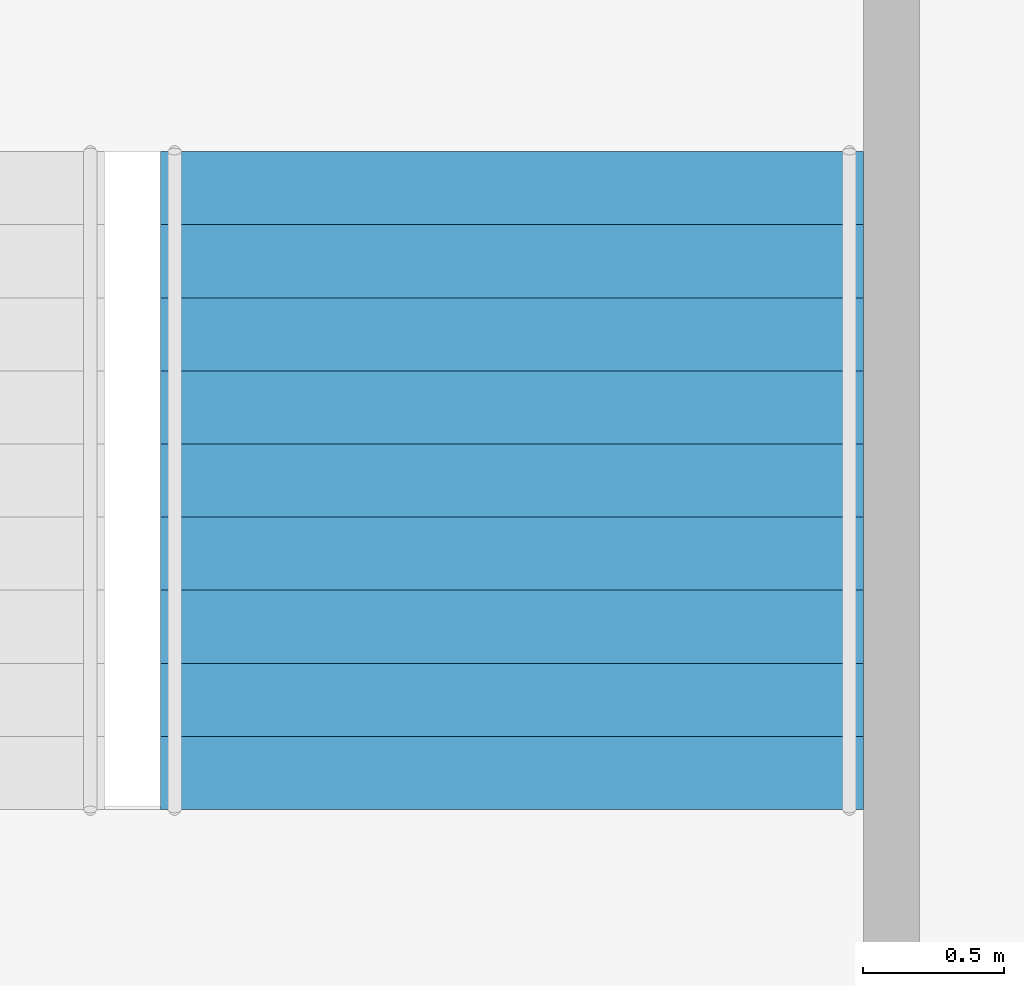
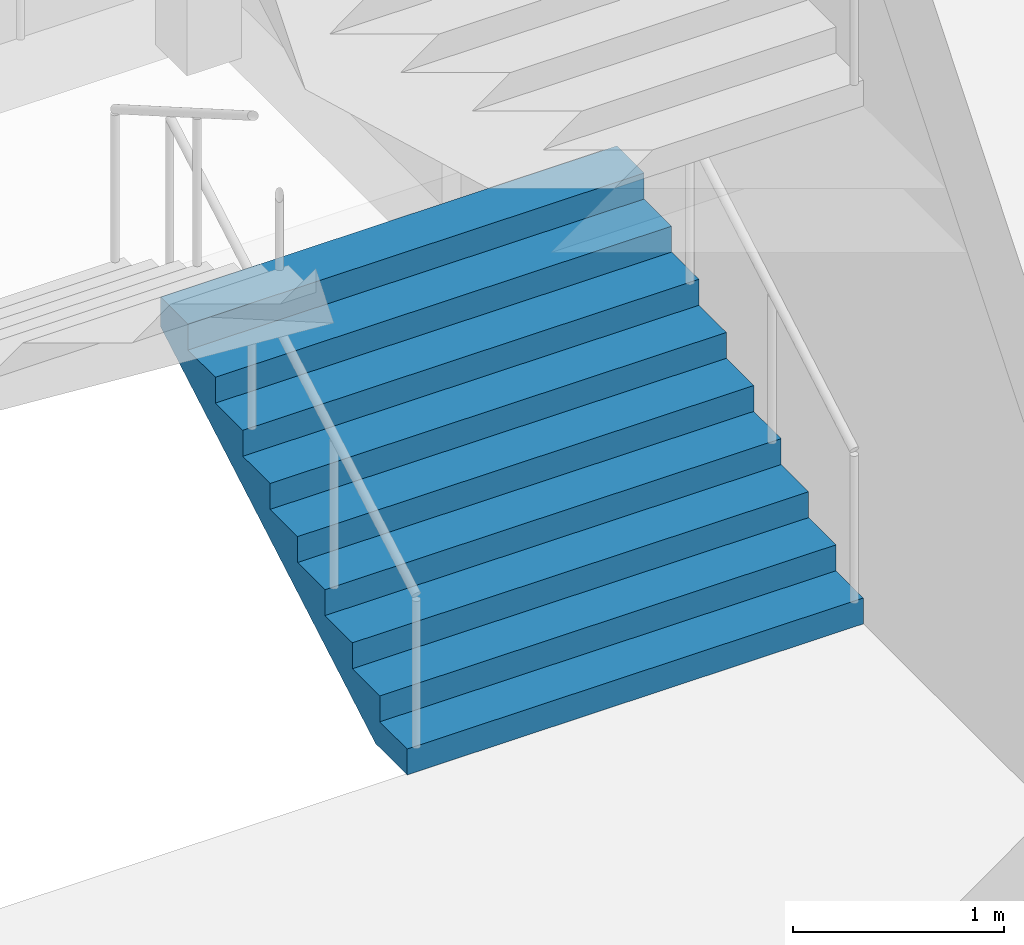
# One storey, part 48 of 100: 1 stair flight, 1 element without a shape of its own.
"""IFC4 building model written with IfcOpenShell, lengths in metres."""

import ifcopenshell
import ifcopenshell.guid

model = None  # the IFC model being written
_history = None  # IfcOwnerHistory: only IFC2X3 demands one
_inside = {}  # id of a spatial element -> (the spatial element, [elements in it])
_under = {}  # id of a project, library or spatial element -> (it, [spatial elements below it])
_declared = {}  # id of a project -> (the project, [libraries it declares])
_typed = {}  # id of a type object -> (the type object, [elements of that type])
_made_of = {}  # id of a material, layer set ... -> (it, [elements and type objects made of it])


def new_model(schema):
    """Start an empty IFC model of exactly this schema.

    Asked for "IFC4X3", IfcOpenShell would pick the latest addendum, in which some entities
    have other attributes; the version numbers below select the first issue.
    IFC2X3 requires an IfcOwnerHistory on every rooted entity: one is made here for all.
    """
    global model, _history
    if schema == "IFC4X3":
        model = ifcopenshell.file(schema_version=(4, 3, 0, 0))
    else:
        model = ifcopenshell.file(schema=schema)
    _inside.clear()
    _under.clear()
    _declared.clear()
    _typed.clear()
    _made_of.clear()
    _history = None
    if model.schema == "IFC2X3":
        org = make("IfcOrganization", Name="unknown")
        user = make(
            "IfcPersonAndOrganization",
            ThePerson=make("IfcPerson", FamilyName="unknown"),
            TheOrganization=org,
        )
        app = make(
            "IfcApplication",
            ApplicationDeveloper=org,
            Version="unknown",
            ApplicationFullName="unknown",
            ApplicationIdentifier="unknown",
        )
        _history = make(
            "IfcOwnerHistory",
            OwningUser=user,
            OwningApplication=app,
            ChangeAction="ADDED",
            CreationDate=0,
        )
    return model


def make(cls, **values):
    """One entity of the class cls with the attributes given. An attribute that is None is left unset."""
    return model.create_entity(
        cls, **{name: value for name, value in values.items() if value is not None}
    )


def rooted(cls, **values):
    """An entity with a GlobalId (a new one), such as an element, a storey or a relation."""
    return make(cls, GlobalId=ifcopenshell.guid.new(), OwnerHistory=_history, **values)


def si_unit(unit_type, name, prefix=None):
    """IfcSIUnit, for example si_unit("LENGTHUNIT", "METRE", prefix="MILLI")."""
    return make("IfcSIUnit", UnitType=unit_type, Prefix=prefix, Name=name)


def assignment(units):
    """IfcUnitAssignment: the units of a project."""
    return None if units is None else make("IfcUnitAssignment", Units=units)


def point(xyz):
    """IfcCartesianPoint."""
    return None if xyz is None else make("IfcCartesianPoint", Coordinates=xyz)


def direction(xyz):
    """IfcDirection."""
    return None if xyz is None else make("IfcDirection", DirectionRatios=xyz)


def frame(location, z_axis=None, x_axis=None):
    """IfcAxis2Placement3D, a coordinate frame: its origin and axes. An axis left out is left unset."""
    return make(
        "IfcAxis2Placement3D",
        Location=point(location),
        Axis=direction(z_axis),
        RefDirection=direction(x_axis),
    )


def origin():
    """The frame at (0, 0, 0) with its axes left unset."""
    return frame((0.0, 0.0, 0.0))


def place(relative_to, where):
    """IfcLocalPlacement: puts the frame where relative to a parent placement (None: the world)."""
    return make(
        "IfcLocalPlacement", PlacementRelTo=relative_to, RelativePlacement=where
    )


def context(
    kind, dimensions, precision=None, world=None, true_north=None, identifier=None
):
    """IfcGeometricRepresentationContext, for example the 3D "Model" context."""
    return make(
        "IfcGeometricRepresentationContext",
        ContextIdentifier=identifier,
        ContextType=kind,
        CoordinateSpaceDimension=dimensions,
        Precision=precision,
        WorldCoordinateSystem=world,
        TrueNorth=true_north,
    )


def subcontext(parent, identifier, kind, view, scale=None):
    """IfcGeometricRepresentationSubContext, for example "Body" below "Model"."""
    return make(
        "IfcGeometricRepresentationSubContext",
        ContextIdentifier=identifier,
        ContextType=kind,
        ParentContext=parent,
        TargetScale=scale,
        TargetView=view,
    )


def project(units=None, contexts=None):
    """IfcProject with its units and contexts."""
    return rooted(
        "IfcProject",
        Name="project",
        RepresentationContexts=contexts,
        UnitsInContext=assignment(units),
    )


def spatial(cls, under=None, at=None, **own):
    """A site, building, storey or space (cls), placed at a placement, below another one or the project."""
    s = rooted(cls, ObjectPlacement=at, **own)
    if under is not None:
        _under.setdefault(under.id(), (under, []))[1].append(s)
    return s


def point_list(points):
    """IfcCartesianPointList2D or 3D."""
    cls = (
        "IfcCartesianPointList2D" if len(points[0]) == 2 else "IfcCartesianPointList3D"
    )
    return make(cls, CoordList=points)


def triangles(points, corners, closed=None, point_numbers=None):
    """IfcTriangulatedFaceSet: each triangle names its three corners, points numbered from 1."""
    return make(
        "IfcTriangulatedFaceSet",
        Coordinates=point_list(points),
        Closed=closed,
        CoordIndex=corners,
        PnIndex=point_numbers,
    )


def shape(context_of_items, identifier, shape_type, items):
    """IfcShapeRepresentation: the items that make up one representation, for example the "Body"."""
    return make(
        "IfcShapeRepresentation",
        ContextOfItems=context_of_items,
        RepresentationIdentifier=identifier,
        RepresentationType=shape_type,
        Items=items,
    )


def material(Name=None, Category=None):
    """IfcMaterial."""
    return make("IfcMaterial", Name=Name, Category=Category)


def made_of(thing, what):
    """Note that an element or type object is made of a material, layer set ...; save() writes the relation."""
    if what is not None:
        _made_of.setdefault(what.id(), (what, []))[1].append(thing)
    return thing


def type_object(cls, material=None, **own):
    """A type object (cls), such as IfcWallType, which elements share."""
    return made_of(rooted(cls, **own), material)


def element(
    cls,
    number,
    at=None,
    inside=None,
    cuts=None,
    type_object=None,
    material=None,
    context=None,
    identifier="Body",
    shape_type=None,
    held_by="IfcProductDefinitionShape",
    body=None,
    shapes=None,
    **own,
):
    """One element of the class cls, such as IfcWall. Its Tag is "e" and its number.

    at: its placement. inside: the storey or other place that contains it. cuts: it is an
    opening in that element (IfcRelVoidsElement). A single representation is given by context,
    identifier, shape_type and body (its items); several are given by shapes. held_by: the class
    of the entity that holds the representations. save() writes the other relations.
    """
    e = rooted(cls, Tag="e%d" % number, ObjectPlacement=at, **own)
    if body is not None:
        shapes = [shape(context, identifier, shape_type, body)]
    if shapes is not None:
        e.Representation = make(held_by, Representations=shapes)
    if inside is not None:
        _inside.setdefault(inside.id(), (inside, []))[1].append(e)
    if cuts is not None:
        rooted(
            "IfcRelVoidsElement", RelatingBuildingElement=cuts, RelatedOpeningElement=e
        )
    if type_object is not None:
        _typed.setdefault(type_object.id(), (type_object, []))[1].append(e)
    return made_of(e, material)


def aggregate(whole, parts):
    """IfcRelAggregates: a whole, such as a stair, and the parts it consists of."""
    return rooted("IfcRelAggregates", RelatingObject=whole, RelatedObjects=parts)


def save(model, path):
    """Write the relations noted so far, then the file.

    IfcRelAggregates (storeys below a building ...), IfcRelContainedInSpatialStructure (elements
    in a storey), IfcRelDefinesByType, IfcRelAssociatesMaterial and IfcRelDeclares: one each for
    every whole, place, type object, material and project.
    """
    for whole, parts in _under.values():
        aggregate(whole, parts)
    for where, things in _inside.values():
        rooted(
            "IfcRelContainedInSpatialStructure",
            RelatedElements=things,
            RelatingStructure=where,
        )
    for kind, things in _typed.values():
        rooted("IfcRelDefinesByType", RelatedObjects=things, RelatingType=kind)
    for what, things in _made_of.values():
        rooted("IfcRelAssociatesMaterial", RelatedObjects=things, RelatingMaterial=what)
    for by, libraries in _declared.values():
        rooted("IfcRelDeclares", RelatingContext=by, RelatedDefinitions=libraries)
    model.write(path)


model = new_model("IFC4")

# Units and contexts
model_context = context("Model", 3, precision=1e-05, world=origin(), true_north=direction((0.0, 1.0)))
body_context = subcontext(model_context, "Body", "Model", "MODEL_VIEW")
ifc_project = project(units=[si_unit("LENGTHUNIT", "METRE"), si_unit("AREAUNIT", "SQUARE_METRE"), si_unit("VOLUMEUNIT", "CUBIC_METRE"), si_unit("PLANEANGLEUNIT", "RADIAN"), si_unit("MASSUNIT", "GRAM", prefix="KILO")], contexts=[model_context])

# Site, building, storey
site_placement = place(None, origin())
site = spatial("IfcSite", under=ifc_project, at=site_placement, CompositionType="ELEMENT")
building_placement = place(site_placement, origin())
building = spatial("IfcBuilding", under=site, at=building_placement, Name="Hakoniwa Tower and Hamabe Station Hall", CompositionType="ELEMENT")
storey_placement = place(building_placement, frame((0.0, 0.0, 9.0)))
storey = spatial("IfcBuildingStorey", under=building, at=storey_placement, Name="L02", CompositionType="ELEMENT", Elevation=9.0)

# Stair, stair flight
ifc_material_1 = material(Name="Concrete C40", Category="concrete")
stair_type = type_object("IfcStairType", Name="STAIR 2500 10X150", PredefinedType="HALF_TURN_STAIR", material=ifc_material_1)
stair_placement = place(storey_placement, origin())
stair = element("IfcStair", 1, at=stair_placement, inside=storey, type_object=stair_type, Name="Escape stair PS3", PredefinedType="HALF_TURN_STAIR")
ifc_material_2 = material(Name="Concrete C40", Category="concrete")
stair_flight_type = type_object("IfcStairFlightType", Name="STAIR FLIGHT 2500", PredefinedType="STRAIGHT", material=ifc_material_2)
stair_flight_placement = place(storey_placement, frame((47.800048828125, -22.35009765625, 0.0), z_axis=(0.0, 0.0, 1.0), x_axis=(0.0, 1.0, 0.0)))
stair_flight = element("IfcStairFlight", 2, at=stair_flight_placement, type_object=stair_flight_type, Name="PS3 flight 1", NumberOfRisers=10, NumberOfTreads=9, PredefinedType="STRAIGHT", RiserHeight=0.15, TreadLength=0.26, context=body_context, shape_type="Tessellation", body=[
    triangles([(0.0, 1.25, 0.0), (0.260009765625, 1.25, 0.0), (0.300048828125, 1.25, 0.0), (0.52001953125, 1.25, 0.126953125), (0.780029296875, 1.25, 0.27685546875), (1.0400390625, 1.25, 0.427001953125), (1.300048828125, 1.25, 0.576904296875), (1.56005859375, 1.25, 0.72705078125), (1.820068359375, 1.25, 0.876953125), (2.080078125, 1.25, 1.02685546875), (2.340087890625, 1.25, 1.177001953125), (2.340087890625, 1.25, 1.35009765625), (2.080078125, 1.25, 1.35009765625), (2.080078125, 1.25, 1.199951171875), (1.820068359375, 1.25, 1.199951171875), (1.820068359375, 1.25, 1.050048828125), (1.56005859375, 1.25, 1.050048828125), (1.56005859375, 1.25, 0.89990234375), (1.300048828125, 1.25, 0.89990234375), (1.300048828125, 1.25, 0.75), (1.0400390625, 1.25, 0.75), (1.0400390625, 1.25, 0.60009765625), (0.780029296875, 1.25, 0.60009765625), (0.780029296875, 1.25, 0.449951171875), (0.52001953125, 1.25, 0.449951171875), (0.52001953125, 1.25, 0.300048828125), (0.300048828125, 1.25, 0.300048828125), (0.260009765625, 1.25, 0.300048828125), (0.260009765625, 1.25, 0.14990234375), (0.0, 1.25, 0.14990234375), (0.0, 0.06005859375, 0.0), (0.260009765625, 0.06005859375, 0.0), (0.300048828125, 0.06005859375, 0.0), (0.52001953125, 0.06005859375, 0.126953125), (0.780029296875, 0.06005859375, 0.27685546875), (1.0400390625, 0.06005859375, 0.427001953125), (1.300048828125, 0.06005859375, 0.576904296875), (1.56005859375, 0.06005859375, 0.72705078125), (1.820068359375, 0.06005859375, 0.876953125), (2.080078125, 0.06005859375, 1.02685546875), (2.340087890625, 0.06005859375, 1.177001953125), (2.340087890625, 0.06005859375, 1.35009765625), (2.080078125, 0.06005859375, 1.35009765625), (2.080078125, 0.06005859375, 1.199951171875), (1.820068359375, 0.06005859375, 1.199951171875), (1.820068359375, 0.06005859375, 1.050048828125), (1.56005859375, 0.06005859375, 1.050048828125), (1.56005859375, 0.06005859375, 0.89990234375), (1.300048828125, 0.06005859375, 0.89990234375), (1.300048828125, 0.06005859375, 0.75), (1.0400390625, 0.06005859375, 0.75), (1.0400390625, 0.06005859375, 0.60009765625), (0.780029296875, 0.06005859375, 0.60009765625), (0.780029296875, 0.06005859375, 0.449951171875), (0.52001953125, 0.06005859375, 0.449951171875), (0.52001953125, 0.06005859375, 0.300048828125), (0.300048828125, 0.06005859375, 0.300048828125), (0.260009765625, 0.06005859375, 0.300048828125), (0.260009765625, 0.06005859375, 0.14990234375), (0.0, 0.06005859375, 0.14990234375), (0.0, 0.049072265625, 0.0), (0.260009765625, 0.049072265625, 0.0), (0.300048828125, 0.049072265625, 0.0), (0.52001953125, 0.049072265625, 0.126953125), (0.780029296875, 0.049072265625, 0.27685546875), (1.0400390625, 0.049072265625, 0.427001953125), (1.300048828125, 0.049072265625, 0.576904296875), (1.56005859375, 0.049072265625, 0.72705078125), (1.820068359375, 0.049072265625, 0.876953125), (2.080078125, 0.049072265625, 1.02685546875), (2.340087890625, 0.049072265625, 1.177001953125), (2.340087890625, 0.049072265625, 1.35009765625), (2.080078125, 0.049072265625, 1.35009765625), (2.080078125, 0.049072265625, 1.199951171875), (1.820068359375, 0.049072265625, 1.199951171875), (1.820068359375, 0.049072265625, 1.050048828125), (1.56005859375, 0.049072265625, 1.050048828125), (1.56005859375, 0.049072265625, 0.89990234375), (1.300048828125, 0.049072265625, 0.89990234375), (1.300048828125, 0.049072265625, 0.75), (1.0400390625, 0.049072265625, 0.75), (1.0400390625, 0.049072265625, 0.60009765625), (0.780029296875, 0.049072265625, 0.60009765625), (0.780029296875, 0.049072265625, 0.449951171875), (0.52001953125, 0.049072265625, 0.449951171875), (0.52001953125, 0.049072265625, 0.300048828125), (0.300048828125, 0.049072265625, 0.300048828125), (0.260009765625, 0.049072265625, 0.300048828125), (0.260009765625, 0.049072265625, 0.14990234375), (0.0, 0.049072265625, 0.14990234375), (0.0, 0.0380859375, 0.0), (0.260009765625, 0.0380859375, 0.0), (0.300048828125, 0.0380859375, 0.0), (0.52001953125, 0.0380859375, 0.126953125), (0.780029296875, 0.0380859375, 0.27685546875), (1.0400390625, 0.0380859375, 0.427001953125), (1.300048828125, 0.0380859375, 0.576904296875), (1.56005859375, 0.0380859375, 0.72705078125), (1.820068359375, 0.0380859375, 0.876953125), (2.080078125, 0.0380859375, 1.02685546875), (2.340087890625, 0.0380859375, 1.177001953125), (2.340087890625, 0.0380859375, 1.35009765625), (2.080078125, 0.0380859375, 1.35009765625), (2.080078125, 0.0380859375, 1.199951171875), (1.820068359375, 0.0380859375, 1.199951171875), (1.820068359375, 0.0380859375, 1.050048828125), (1.56005859375, 0.0380859375, 1.050048828125), (1.56005859375, 0.0380859375, 0.89990234375), (1.300048828125, 0.0380859375, 0.89990234375), (1.300048828125, 0.0380859375, 0.75), (1.0400390625, 0.0380859375, 0.75), (1.0400390625, 0.0380859375, 0.60009765625), (0.780029296875, 0.0380859375, 0.60009765625), (0.780029296875, 0.0380859375, 0.449951171875), (0.52001953125, 0.0380859375, 0.449951171875), (0.52001953125, 0.0380859375, 0.300048828125), (0.300048828125, 0.0380859375, 0.300048828125), (0.260009765625, 0.0380859375, 0.300048828125), (0.260009765625, 0.0380859375, 0.14990234375), (0.0, 0.0380859375, 0.14990234375), (0.0, 0.02734375, 0.0), (0.260009765625, 0.02734375, 0.0), (0.300048828125, 0.02734375, 0.0), (0.52001953125, 0.02734375, 0.126953125), (0.780029296875, 0.02734375, 0.27685546875), (1.0400390625, 0.02734375, 0.427001953125), (1.300048828125, 0.02734375, 0.576904296875), (1.56005859375, 0.02734375, 0.72705078125), (1.820068359375, 0.02734375, 0.876953125), (2.080078125, 0.02734375, 1.02685546875), (2.340087890625, 0.02734375, 1.177001953125), (2.340087890625, 0.02734375, 1.35009765625), (2.080078125, 0.02734375, 1.35009765625), (2.080078125, 0.02734375, 1.199951171875), (1.820068359375, 0.02734375, 1.199951171875), (1.820068359375, 0.02734375, 1.050048828125), (1.56005859375, 0.02734375, 1.050048828125), (1.56005859375, 0.02734375, 0.89990234375), (1.300048828125, 0.02734375, 0.89990234375), (1.300048828125, 0.02734375, 0.75), (1.0400390625, 0.02734375, 0.75), (1.0400390625, 0.02734375, 0.60009765625), (0.780029296875, 0.02734375, 0.60009765625), (0.780029296875, 0.02734375, 0.449951171875), (0.52001953125, 0.02734375, 0.449951171875), (0.52001953125, 0.02734375, 0.300048828125), (0.300048828125, 0.02734375, 0.300048828125), (0.260009765625, 0.02734375, 0.300048828125), (0.260009765625, 0.02734375, 0.14990234375), (0.0, 0.02734375, 0.14990234375), (0.0, 0.016357421875, 0.0), (0.260009765625, 0.016357421875, 0.0), (0.300048828125, 0.016357421875, 0.0), (0.52001953125, 0.016357421875, 0.126953125), (0.780029296875, 0.016357421875, 0.27685546875), (1.0400390625, 0.016357421875, 0.427001953125), (1.300048828125, 0.016357421875, 0.576904296875), (1.56005859375, 0.016357421875, 0.72705078125), (1.820068359375, 0.016357421875, 0.876953125), (2.080078125, 0.016357421875, 1.02685546875), (2.340087890625, 0.016357421875, 1.177001953125), (2.340087890625, 0.016357421875, 1.35009765625), (2.080078125, 0.016357421875, 1.35009765625), (2.080078125, 0.016357421875, 1.199951171875), (1.820068359375, 0.016357421875, 1.199951171875), (1.820068359375, 0.016357421875, 1.050048828125), (1.56005859375, 0.016357421875, 1.050048828125), (1.56005859375, 0.016357421875, 0.89990234375), (1.300048828125, 0.016357421875, 0.89990234375), (1.300048828125, 0.016357421875, 0.75), (1.0400390625, 0.016357421875, 0.75), (1.0400390625, 0.016357421875, 0.60009765625), (0.780029296875, 0.016357421875, 0.60009765625), (0.780029296875, 0.016357421875, 0.449951171875), (0.52001953125, 0.016357421875, 0.449951171875), (0.52001953125, 0.016357421875, 0.300048828125), (0.300048828125, 0.016357421875, 0.300048828125), (0.260009765625, 0.016357421875, 0.300048828125), (0.260009765625, 0.016357421875, 0.14990234375), (0.0, 0.016357421875, 0.14990234375), (0.0, 0.00537109375, 0.0), (0.260009765625, 0.00537109375, 0.0), (0.300048828125, 0.00537109375, 0.0), (0.52001953125, 0.00537109375, 0.126953125), (0.780029296875, 0.00537109375, 0.27685546875), (1.0400390625, 0.00537109375, 0.427001953125), (1.300048828125, 0.00537109375, 0.576904296875), (1.56005859375, 0.00537109375, 0.72705078125), (1.820068359375, 0.00537109375, 0.876953125), (2.080078125, 0.00537109375, 1.02685546875), (2.340087890625, 0.00537109375, 1.177001953125), (2.340087890625, 0.00537109375, 1.35009765625), (2.080078125, 0.00537109375, 1.35009765625), (2.080078125, 0.00537109375, 1.199951171875), (1.820068359375, 0.00537109375, 1.199951171875), (1.820068359375, 0.00537109375, 1.050048828125), (1.56005859375, 0.00537109375, 1.050048828125), (1.56005859375, 0.00537109375, 0.89990234375), (1.300048828125, 0.00537109375, 0.89990234375), (1.300048828125, 0.00537109375, 0.75), (1.0400390625, 0.00537109375, 0.75), (1.0400390625, 0.00537109375, 0.60009765625), (0.780029296875, 0.00537109375, 0.60009765625), (0.780029296875, 0.00537109375, 0.449951171875), (0.52001953125, 0.00537109375, 0.449951171875), (0.52001953125, 0.00537109375, 0.300048828125), (0.300048828125, 0.00537109375, 0.300048828125), (0.260009765625, 0.00537109375, 0.300048828125), (0.260009765625, 0.00537109375, 0.14990234375), (0.0, 0.00537109375, 0.14990234375), (0.0, -0.00537109375, 0.0), (0.260009765625, -0.00537109375, 0.0), (0.300048828125, -0.00537109375, 0.0), (0.52001953125, -0.00537109375, 0.126953125), (0.780029296875, -0.00537109375, 0.27685546875), (1.0400390625, -0.00537109375, 0.427001953125), (1.300048828125, -0.00537109375, 0.576904296875), (1.56005859375, -0.00537109375, 0.72705078125), (1.820068359375, -0.00537109375, 0.876953125), (2.080078125, -0.00537109375, 1.02685546875), (2.340087890625, -0.00537109375, 1.177001953125), (2.340087890625, -0.00537109375, 1.35009765625), (2.080078125, -0.00537109375, 1.35009765625), (2.080078125, -0.00537109375, 1.199951171875), (1.820068359375, -0.00537109375, 1.199951171875), (1.820068359375, -0.00537109375, 1.050048828125), (1.56005859375, -0.00537109375, 1.050048828125), (1.56005859375, -0.00537109375, 0.89990234375), (1.300048828125, -0.00537109375, 0.89990234375), (1.300048828125, -0.00537109375, 0.75), (1.0400390625, -0.00537109375, 0.75), (1.0400390625, -0.00537109375, 0.60009765625), (0.780029296875, -0.00537109375, 0.60009765625), (0.780029296875, -0.00537109375, 0.449951171875), (0.52001953125, -0.00537109375, 0.449951171875), (0.52001953125, -0.00537109375, 0.300048828125), (0.300048828125, -0.00537109375, 0.300048828125), (0.260009765625, -0.00537109375, 0.300048828125), (0.260009765625, -0.00537109375, 0.14990234375), (0.0, -0.00537109375, 0.14990234375), (0.0, -0.016357421875, 0.0), (0.260009765625, -0.016357421875, 0.0), (0.300048828125, -0.016357421875, 0.0), (0.52001953125, -0.016357421875, 0.126953125), (0.780029296875, -0.016357421875, 0.27685546875), (1.0400390625, -0.016357421875, 0.427001953125), (1.300048828125, -0.016357421875, 0.576904296875), (1.56005859375, -0.016357421875, 0.72705078125), (1.820068359375, -0.016357421875, 0.876953125), (2.080078125, -0.016357421875, 1.02685546875), (2.340087890625, -0.016357421875, 1.177001953125), (2.340087890625, -0.016357421875, 1.35009765625), (2.080078125, -0.016357421875, 1.35009765625), (2.080078125, -0.016357421875, 1.199951171875), (1.820068359375, -0.016357421875, 1.199951171875), (1.820068359375, -0.016357421875, 1.050048828125), (1.56005859375, -0.016357421875, 1.050048828125), (1.56005859375, -0.016357421875, 0.89990234375), (1.300048828125, -0.016357421875, 0.89990234375), (1.300048828125, -0.016357421875, 0.75), (1.0400390625, -0.016357421875, 0.75), (1.0400390625, -0.016357421875, 0.60009765625), (0.780029296875, -0.016357421875, 0.60009765625), (0.780029296875, -0.016357421875, 0.449951171875), (0.52001953125, -0.016357421875, 0.449951171875), (0.52001953125, -0.016357421875, 0.300048828125), (0.300048828125, -0.016357421875, 0.300048828125), (0.260009765625, -0.016357421875, 0.300048828125), (0.260009765625, -0.016357421875, 0.14990234375), (0.0, -0.016357421875, 0.14990234375), (0.0, -0.02734375, 0.0), (0.260009765625, -0.02734375, 0.0), (0.300048828125, -0.02734375, 0.0), (0.52001953125, -0.02734375, 0.126953125), (0.780029296875, -0.02734375, 0.27685546875), (1.0400390625, -0.02734375, 0.427001953125), (1.300048828125, -0.02734375, 0.576904296875), (1.56005859375, -0.02734375, 0.72705078125), (1.820068359375, -0.02734375, 0.876953125), (2.080078125, -0.02734375, 1.02685546875), (2.340087890625, -0.02734375, 1.177001953125), (2.340087890625, -0.02734375, 1.35009765625), (2.080078125, -0.02734375, 1.35009765625), (2.080078125, -0.02734375, 1.199951171875), (1.820068359375, -0.02734375, 1.199951171875), (1.820068359375, -0.02734375, 1.050048828125), (1.56005859375, -0.02734375, 1.050048828125), (1.56005859375, -0.02734375, 0.89990234375), (1.300048828125, -0.02734375, 0.89990234375), (1.300048828125, -0.02734375, 0.75), (1.0400390625, -0.02734375, 0.75), (1.0400390625, -0.02734375, 0.60009765625), (0.780029296875, -0.02734375, 0.60009765625), (0.780029296875, -0.02734375, 0.449951171875), (0.52001953125, -0.02734375, 0.449951171875), (0.52001953125, -0.02734375, 0.300048828125), (0.300048828125, -0.02734375, 0.300048828125), (0.260009765625, -0.02734375, 0.300048828125), (0.260009765625, -0.02734375, 0.14990234375), (0.0, -0.02734375, 0.14990234375), (0.0, -0.0380859375, 0.0), (0.260009765625, -0.0380859375, 0.0), (0.300048828125, -0.0380859375, 0.0), (0.52001953125, -0.0380859375, 0.126953125), (0.780029296875, -0.0380859375, 0.27685546875), (1.0400390625, -0.0380859375, 0.427001953125), (1.300048828125, -0.0380859375, 0.576904296875), (1.56005859375, -0.0380859375, 0.72705078125), (1.820068359375, -0.0380859375, 0.876953125), (2.080078125, -0.0380859375, 1.02685546875), (2.340087890625, -0.0380859375, 1.177001953125), (2.340087890625, -0.0380859375, 1.35009765625), (2.080078125, -0.0380859375, 1.35009765625), (2.080078125, -0.0380859375, 1.199951171875), (1.820068359375, -0.0380859375, 1.199951171875), (1.820068359375, -0.0380859375, 1.050048828125), (1.56005859375, -0.0380859375, 1.050048828125), (1.56005859375, -0.0380859375, 0.89990234375), (1.300048828125, -0.0380859375, 0.89990234375), (1.300048828125, -0.0380859375, 0.75), (1.0400390625, -0.0380859375, 0.75), (1.0400390625, -0.0380859375, 0.60009765625), (0.780029296875, -0.0380859375, 0.60009765625), (0.780029296875, -0.0380859375, 0.449951171875), (0.52001953125, -0.0380859375, 0.449951171875), (0.52001953125, -0.0380859375, 0.300048828125), (0.300048828125, -0.0380859375, 0.300048828125), (0.260009765625, -0.0380859375, 0.300048828125), (0.260009765625, -0.0380859375, 0.14990234375), (0.0, -0.0380859375, 0.14990234375), (0.0, -0.049072265625, 0.0), (0.260009765625, -0.049072265625, 0.0), (0.300048828125, -0.049072265625, 0.0), (0.52001953125, -0.049072265625, 0.126953125), (0.780029296875, -0.049072265625, 0.27685546875), (1.0400390625, -0.049072265625, 0.427001953125), (1.300048828125, -0.049072265625, 0.576904296875), (1.56005859375, -0.049072265625, 0.72705078125), (1.820068359375, -0.049072265625, 0.876953125), (2.080078125, -0.049072265625, 1.02685546875), (2.340087890625, -0.049072265625, 1.177001953125), (2.340087890625, -0.049072265625, 1.35009765625), (2.080078125, -0.049072265625, 1.35009765625), (2.080078125, -0.049072265625, 1.199951171875), (1.820068359375, -0.049072265625, 1.199951171875), (1.820068359375, -0.049072265625, 1.050048828125), (1.56005859375, -0.049072265625, 1.050048828125), (1.56005859375, -0.049072265625, 0.89990234375), (1.300048828125, -0.049072265625, 0.89990234375), (1.300048828125, -0.049072265625, 0.75), (1.0400390625, -0.049072265625, 0.75), (1.0400390625, -0.049072265625, 0.60009765625), (0.780029296875, -0.049072265625, 0.60009765625), (0.780029296875, -0.049072265625, 0.449951171875), (0.52001953125, -0.049072265625, 0.449951171875), (0.52001953125, -0.049072265625, 0.300048828125), (0.300048828125, -0.049072265625, 0.300048828125), (0.260009765625, -0.049072265625, 0.300048828125), (0.260009765625, -0.049072265625, 0.14990234375), (0.0, -0.049072265625, 0.14990234375), (0.0, -0.06005859375, 0.0), (0.260009765625, -0.06005859375, 0.0), (0.300048828125, -0.06005859375, 0.0), (0.52001953125, -0.06005859375, 0.126953125), (0.780029296875, -0.06005859375, 0.27685546875), (1.0400390625, -0.06005859375, 0.427001953125), (1.300048828125, -0.06005859375, 0.576904296875), (1.56005859375, -0.06005859375, 0.72705078125), (1.820068359375, -0.06005859375, 0.876953125), (2.080078125, -0.06005859375, 1.02685546875), (2.340087890625, -0.06005859375, 1.177001953125), (2.340087890625, -0.06005859375, 1.35009765625), (2.080078125, -0.06005859375, 1.35009765625), (2.080078125, -0.06005859375, 1.199951171875), (1.820068359375, -0.06005859375, 1.199951171875), (1.820068359375, -0.06005859375, 1.050048828125), (1.56005859375, -0.06005859375, 1.050048828125), (1.56005859375, -0.06005859375, 0.89990234375), (1.300048828125, -0.06005859375, 0.89990234375), (1.300048828125, -0.06005859375, 0.75), (1.0400390625, -0.06005859375, 0.75), (1.0400390625, -0.06005859375, 0.60009765625), (0.780029296875, -0.06005859375, 0.60009765625), (0.780029296875, -0.06005859375, 0.449951171875), (0.52001953125, -0.06005859375, 0.449951171875), (0.52001953125, -0.06005859375, 0.300048828125), (0.300048828125, -0.06005859375, 0.300048828125), (0.260009765625, -0.06005859375, 0.300048828125), (0.260009765625, -0.06005859375, 0.14990234375), (0.0, -0.06005859375, 0.14990234375), (0.0, -1.25, 0.0), (0.260009765625, -1.25, 0.0), (0.300048828125, -1.25, 0.0), (0.52001953125, -1.25, 0.126953125), (0.780029296875, -1.25, 0.27685546875), (1.0400390625, -1.25, 0.427001953125), (1.300048828125, -1.25, 0.576904296875), (1.56005859375, -1.25, 0.72705078125), (1.820068359375, -1.25, 0.876953125), (2.080078125, -1.25, 1.02685546875), (2.340087890625, -1.25, 1.177001953125), (2.340087890625, -1.25, 1.35009765625), (2.080078125, -1.25, 1.35009765625), (2.080078125, -1.25, 1.199951171875), (1.820068359375, -1.25, 1.199951171875), (1.820068359375, -1.25, 1.050048828125), (1.56005859375, -1.25, 1.050048828125), (1.56005859375, -1.25, 0.89990234375), (1.300048828125, -1.25, 0.89990234375), (1.300048828125, -1.25, 0.75), (1.0400390625, -1.25, 0.75), (1.0400390625, -1.25, 0.60009765625), (0.780029296875, -1.25, 0.60009765625), (0.780029296875, -1.25, 0.449951171875), (0.52001953125, -1.25, 0.449951171875), (0.52001953125, -1.25, 0.300048828125), (0.300048828125, -1.25, 0.300048828125), (0.260009765625, -1.25, 0.300048828125), (0.260009765625, -1.25, 0.14990234375), (0.0, -1.25, 0.14990234375)], [[2, 30, 29], [392, 419, 420], [2, 1, 30], [392, 420, 391], [3, 28, 27], [393, 417, 418], [3, 29, 28], [393, 418, 419], [3, 2, 29], [393, 419, 392], [4, 27, 26], [394, 416, 417], [4, 3, 27], [394, 417, 393], [5, 25, 24], [395, 414, 415], [5, 26, 25], [395, 415, 416], [5, 4, 26], [395, 416, 394], [6, 23, 22], [396, 412, 413], [6, 24, 23], [396, 413, 414], [6, 5, 24], [396, 414, 395], [7, 21, 20], [397, 410, 411], [7, 22, 21], [397, 411, 412], [7, 6, 22], [397, 412, 396], [8, 19, 18], [398, 408, 409], [8, 20, 19], [398, 409, 410], [8, 7, 20], [398, 410, 397], [9, 17, 16], [399, 406, 407], [9, 18, 17], [399, 407, 408], [9, 8, 18], [399, 408, 398], [10, 15, 14], [400, 404, 405], [10, 16, 15], [400, 405, 406], [10, 9, 16], [400, 406, 399], [11, 13, 12], [401, 402, 403], [11, 14, 13], [401, 403, 404], [11, 10, 14], [401, 404, 400], [1, 2, 32], [1, 32, 31], [31, 32, 62], [31, 62, 61], [61, 62, 92], [61, 92, 91], [91, 92, 122], [91, 122, 121], [121, 122, 152], [121, 152, 151], [151, 152, 182], [151, 182, 181], [181, 182, 212], [181, 212, 211], [211, 212, 242], [211, 242, 241], [241, 242, 272], [241, 272, 271], [271, 272, 302], [271, 302, 301], [301, 302, 332], [301, 332, 331], [331, 332, 362], [331, 362, 361], [361, 362, 392], [361, 392, 391], [2, 3, 33], [2, 33, 32], [32, 33, 63], [32, 63, 62], [62, 63, 93], [62, 93, 92], [92, 93, 123], [92, 123, 122], [122, 123, 153], [122, 153, 152], [152, 153, 183], [152, 183, 182], [182, 183, 213], [182, 213, 212], [212, 213, 243], [212, 243, 242], [242, 243, 273], [242, 273, 272], [272, 273, 303], [272, 303, 302], [302, 303, 333], [302, 333, 332], [332, 333, 363], [332, 363, 362], [362, 363, 393], [362, 393, 392], [3, 4, 34], [3, 34, 33], [33, 34, 64], [33, 64, 63], [63, 64, 94], [63, 94, 93], [93, 94, 124], [93, 124, 123], [123, 124, 154], [123, 154, 153], [153, 154, 184], [153, 184, 183], [183, 184, 214], [183, 214, 213], [213, 214, 244], [213, 244, 243], [243, 244, 274], [243, 274, 273], [273, 274, 304], [273, 304, 303], [303, 304, 334], [303, 334, 333], [333, 334, 364], [333, 364, 363], [363, 364, 394], [363, 394, 393], [4, 5, 35], [4, 35, 34], [34, 35, 65], [34, 65, 64], [64, 65, 95], [64, 95, 94], [94, 95, 125], [94, 125, 124], [124, 125, 155], [124, 155, 154], [154, 155, 185], [154, 185, 184], [184, 185, 215], [184, 215, 214], [214, 215, 245], [214, 245, 244], [244, 245, 275], [244, 275, 274], [274, 275, 305], [274, 305, 304], [304, 305, 335], [304, 335, 334], [334, 335, 365], [334, 365, 364], [364, 365, 395], [364, 395, 394], [5, 6, 36], [5, 36, 35], [35, 36, 66], [35, 66, 65], [65, 66, 96], [65, 96, 95], [95, 96, 126], [95, 126, 125], [125, 126, 156], [125, 156, 155], [155, 156, 186], [155, 186, 185], [185, 186, 216], [185, 216, 215], [215, 216, 246], [215, 246, 245], [245, 246, 276], [245, 276, 275], [275, 276, 306], [275, 306, 305], [305, 306, 336], [305, 336, 335], [335, 336, 366], [335, 366, 365], [365, 366, 396], [365, 396, 395], [6, 7, 37], [6, 37, 36], [36, 37, 67], [36, 67, 66], [66, 67, 97], [66, 97, 96], [96, 97, 127], [96, 127, 126], [126, 127, 157], [126, 157, 156], [156, 157, 187], [156, 187, 186], [186, 187, 217], [186, 217, 216], [216, 217, 247], [216, 247, 246], [246, 247, 277], [246, 277, 276], [276, 277, 307], [276, 307, 306], [306, 307, 337], [306, 337, 336], [336, 337, 367], [336, 367, 366], [366, 367, 397], [366, 397, 396], [7, 8, 38], [7, 38, 37], [37, 38, 68], [37, 68, 67], [67, 68, 98], [67, 98, 97], [97, 98, 128], [97, 128, 127], [127, 128, 158], [127, 158, 157], [157, 158, 188], [157, 188, 187], [187, 188, 218], [187, 218, 217], [217, 218, 248], [217, 248, 247], [247, 248, 278], [247, 278, 277], [277, 278, 308], [277, 308, 307], [307, 308, 338], [307, 338, 337], [337, 338, 368], [337, 368, 367], [367, 368, 398], [367, 398, 397], [8, 9, 39], [8, 39, 38], [38, 39, 69], [38, 69, 68], [68, 69, 99], [68, 99, 98], [98, 99, 129], [98, 129, 128], [128, 129, 159], [128, 159, 158], [158, 159, 189], [158, 189, 188], [188, 189, 219], [188, 219, 218], [218, 219, 249], [218, 249, 248], [248, 249, 279], [248, 279, 278], [278, 279, 309], [278, 309, 308], [308, 309, 339], [308, 339, 338], [338, 339, 369], [338, 369, 368], [368, 369, 399], [368, 399, 398], [9, 10, 40], [9, 40, 39], [39, 40, 70], [39, 70, 69], [69, 70, 100], [69, 100, 99], [99, 100, 130], [99, 130, 129], [129, 130, 160], [129, 160, 159], [159, 160, 190], [159, 190, 189], [189, 190, 220], [189, 220, 219], [219, 220, 250], [219, 250, 249], [249, 250, 280], [249, 280, 279], [279, 280, 310], [279, 310, 309], [309, 310, 340], [309, 340, 339], [339, 340, 370], [339, 370, 369], [369, 370, 400], [369, 400, 399], [10, 11, 41], [10, 41, 40], [40, 41, 71], [40, 71, 70], [70, 71, 101], [70, 101, 100], [100, 101, 131], [100, 131, 130], [130, 131, 161], [130, 161, 160], [160, 161, 191], [160, 191, 190], [190, 191, 221], [190, 221, 220], [220, 221, 251], [220, 251, 250], [250, 251, 281], [250, 281, 280], [280, 281, 311], [280, 311, 310], [310, 311, 341], [310, 341, 340], [340, 341, 371], [340, 371, 370], [370, 371, 401], [370, 401, 400], [11, 12, 42], [11, 42, 41], [41, 42, 72], [41, 72, 71], [71, 72, 102], [71, 102, 101], [101, 102, 132], [101, 132, 131], [131, 132, 162], [131, 162, 161], [161, 162, 192], [161, 192, 191], [191, 192, 222], [191, 222, 221], [221, 222, 252], [221, 252, 251], [251, 252, 282], [251, 282, 281], [281, 282, 312], [281, 312, 311], [311, 312, 342], [311, 342, 341], [341, 342, 372], [341, 372, 371], [371, 372, 402], [371, 402, 401], [12, 13, 43], [12, 43, 42], [42, 43, 73], [42, 73, 72], [72, 73, 103], [72, 103, 102], [102, 103, 133], [102, 133, 132], [132, 133, 163], [132, 163, 162], [162, 163, 193], [162, 193, 192], [192, 193, 223], [192, 223, 222], [222, 223, 253], [222, 253, 252], [252, 253, 283], [252, 283, 282], [282, 283, 313], [282, 313, 312], [312, 313, 343], [312, 343, 342], [342, 343, 373], [342, 373, 372], [372, 373, 403], [372, 403, 402], [13, 14, 44], [13, 44, 43], [43, 44, 74], [43, 74, 73], [73, 74, 104], [73, 104, 103], [103, 104, 134], [103, 134, 133], [133, 134, 164], [133, 164, 163], [163, 164, 194], [163, 194, 193], [193, 194, 224], [193, 224, 223], [223, 224, 254], [223, 254, 253], [253, 254, 284], [253, 284, 283], [283, 284, 314], [283, 314, 313], [313, 314, 344], [313, 344, 343], [343, 344, 374], [343, 374, 373], [373, 374, 404], [373, 404, 403], [14, 15, 45], [14, 45, 44], [44, 45, 75], [44, 75, 74], [74, 75, 105], [74, 105, 104], [104, 105, 135], [104, 135, 134], [134, 135, 165], [134, 165, 164], [164, 165, 195], [164, 195, 194], [194, 195, 225], [194, 225, 224], [224, 225, 255], [224, 255, 254], [254, 255, 285], [254, 285, 284], [284, 285, 315], [284, 315, 314], [314, 315, 345], [314, 345, 344], [344, 345, 375], [344, 375, 374], [374, 375, 405], [374, 405, 404], [15, 16, 46], [15, 46, 45], [45, 46, 76], [45, 76, 75], [75, 76, 106], [75, 106, 105], [105, 106, 136], [105, 136, 135], [135, 136, 166], [135, 166, 165], [165, 166, 196], [165, 196, 195], [195, 196, 226], [195, 226, 225], [225, 226, 256], [225, 256, 255], [255, 256, 286], [255, 286, 285], [285, 286, 316], [285, 316, 315], [315, 316, 346], [315, 346, 345], [345, 346, 376], [345, 376, 375], [375, 376, 406], [375, 406, 405], [16, 17, 47], [16, 47, 46], [46, 47, 77], [46, 77, 76], [76, 77, 107], [76, 107, 106], [106, 107, 137], [106, 137, 136], [136, 137, 167], [136, 167, 166], [166, 167, 197], [166, 197, 196], [196, 197, 227], [196, 227, 226], [226, 227, 257], [226, 257, 256], [256, 257, 287], [256, 287, 286], [286, 287, 317], [286, 317, 316], [316, 317, 347], [316, 347, 346], [346, 347, 377], [346, 377, 376], [376, 377, 407], [376, 407, 406], [17, 18, 48], [17, 48, 47], [47, 48, 78], [47, 78, 77], [77, 78, 108], [77, 108, 107], [107, 108, 138], [107, 138, 137], [137, 138, 168], [137, 168, 167], [167, 168, 198], [167, 198, 197], [197, 198, 228], [197, 228, 227], [227, 228, 258], [227, 258, 257], [257, 258, 288], [257, 288, 287], [287, 288, 318], [287, 318, 317], [317, 318, 348], [317, 348, 347], [347, 348, 378], [347, 378, 377], [377, 378, 408], [377, 408, 407], [18, 19, 49], [18, 49, 48], [48, 49, 79], [48, 79, 78], [78, 79, 109], [78, 109, 108], [108, 109, 139], [108, 139, 138], [138, 139, 169], [138, 169, 168], [168, 169, 199], [168, 199, 198], [198, 199, 229], [198, 229, 228], [228, 229, 259], [228, 259, 258], [258, 259, 289], [258, 289, 288], [288, 289, 319], [288, 319, 318], [318, 319, 349], [318, 349, 348], [348, 349, 379], [348, 379, 378], [378, 379, 409], [378, 409, 408], [19, 20, 50], [19, 50, 49], [49, 50, 80], [49, 80, 79], [79, 80, 110], [79, 110, 109], [109, 110, 140], [109, 140, 139], [139, 140, 170], [139, 170, 169], [169, 170, 200], [169, 200, 199], [199, 200, 230], [199, 230, 229], [229, 230, 260], [229, 260, 259], [259, 260, 290], [259, 290, 289], [289, 290, 320], [289, 320, 319], [319, 320, 350], [319, 350, 349], [349, 350, 380], [349, 380, 379], [379, 380, 410], [379, 410, 409], [20, 21, 51], [20, 51, 50], [50, 51, 81], [50, 81, 80], [80, 81, 111], [80, 111, 110], [110, 111, 141], [110, 141, 140], [140, 141, 171], [140, 171, 170], [170, 171, 201], [170, 201, 200], [200, 201, 231], [200, 231, 230], [230, 231, 261], [230, 261, 260], [260, 261, 291], [260, 291, 290], [290, 291, 321], [290, 321, 320], [320, 321, 351], [320, 351, 350], [350, 351, 381], [350, 381, 380], [380, 381, 411], [380, 411, 410], [21, 22, 52], [21, 52, 51], [51, 52, 82], [51, 82, 81], [81, 82, 112], [81, 112, 111], [111, 112, 142], [111, 142, 141], [141, 142, 172], [141, 172, 171], [171, 172, 202], [171, 202, 201], [201, 202, 232], [201, 232, 231], [231, 232, 262], [231, 262, 261], [261, 262, 292], [261, 292, 291], [291, 292, 322], [291, 322, 321], [321, 322, 352], [321, 352, 351], [351, 352, 382], [351, 382, 381], [381, 382, 412], [381, 412, 411], [22, 23, 53], [22, 53, 52], [52, 53, 83], [52, 83, 82], [82, 83, 113], [82, 113, 112], [112, 113, 143], [112, 143, 142], [142, 143, 173], [142, 173, 172], [172, 173, 203], [172, 203, 202], [202, 203, 233], [202, 233, 232], [232, 233, 263], [232, 263, 262], [262, 263, 293], [262, 293, 292], [292, 293, 323], [292, 323, 322], [322, 323, 353], [322, 353, 352], [352, 353, 383], [352, 383, 382], [382, 383, 413], [382, 413, 412], [23, 24, 54], [23, 54, 53], [53, 54, 84], [53, 84, 83], [83, 84, 114], [83, 114, 113], [113, 114, 144], [113, 144, 143], [143, 144, 174], [143, 174, 173], [173, 174, 204], [173, 204, 203], [203, 204, 234], [203, 234, 233], [233, 234, 264], [233, 264, 263], [263, 264, 294], [263, 294, 293], [293, 294, 324], [293, 324, 323], [323, 324, 354], [323, 354, 353], [353, 354, 384], [353, 384, 383], [383, 384, 414], [383, 414, 413], [24, 25, 55], [24, 55, 54], [54, 55, 85], [54, 85, 84], [84, 85, 115], [84, 115, 114], [114, 115, 145], [114, 145, 144], [144, 145, 175], [144, 175, 174], [174, 175, 205], [174, 205, 204], [204, 205, 235], [204, 235, 234], [234, 235, 265], [234, 265, 264], [264, 265, 295], [264, 295, 294], [294, 295, 325], [294, 325, 324], [324, 325, 355], [324, 355, 354], [354, 355, 385], [354, 385, 384], [384, 385, 415], [384, 415, 414], [25, 26, 56], [25, 56, 55], [55, 56, 86], [55, 86, 85], [85, 86, 116], [85, 116, 115], [115, 116, 146], [115, 146, 145], [145, 146, 176], [145, 176, 175], [175, 176, 206], [175, 206, 205], [205, 206, 236], [205, 236, 235], [235, 236, 266], [235, 266, 265], [265, 266, 296], [265, 296, 295], [295, 296, 326], [295, 326, 325], [325, 326, 356], [325, 356, 355], [355, 356, 386], [355, 386, 385], [385, 386, 416], [385, 416, 415], [26, 27, 57], [26, 57, 56], [56, 57, 87], [56, 87, 86], [86, 87, 117], [86, 117, 116], [116, 117, 147], [116, 147, 146], [146, 147, 177], [146, 177, 176], [176, 177, 207], [176, 207, 206], [206, 207, 237], [206, 237, 236], [236, 237, 267], [236, 267, 266], [266, 267, 297], [266, 297, 296], [296, 297, 327], [296, 327, 326], [326, 327, 357], [326, 357, 356], [356, 357, 387], [356, 387, 386], [386, 387, 417], [386, 417, 416], [27, 28, 58], [27, 58, 57], [57, 58, 88], [57, 88, 87], [87, 88, 118], [87, 118, 117], [117, 118, 148], [117, 148, 147], [147, 148, 178], [147, 178, 177], [177, 178, 208], [177, 208, 207], [207, 208, 238], [207, 238, 237], [237, 238, 268], [237, 268, 267], [267, 268, 298], [267, 298, 297], [297, 298, 328], [297, 328, 327], [327, 328, 358], [327, 358, 357], [357, 358, 388], [357, 388, 387], [387, 388, 418], [387, 418, 417], [28, 29, 59], [28, 59, 58], [58, 59, 89], [58, 89, 88], [88, 89, 119], [88, 119, 118], [118, 119, 149], [118, 149, 148], [148, 149, 179], [148, 179, 178], [178, 179, 209], [178, 209, 208], [208, 209, 239], [208, 239, 238], [238, 239, 269], [238, 269, 268], [268, 269, 299], [268, 299, 298], [298, 299, 329], [298, 329, 328], [328, 329, 359], [328, 359, 358], [358, 359, 389], [358, 389, 388], [388, 389, 419], [388, 419, 418], [29, 30, 60], [29, 60, 59], [59, 60, 90], [59, 90, 89], [89, 90, 120], [89, 120, 119], [119, 120, 150], [119, 150, 149], [149, 150, 180], [149, 180, 179], [179, 180, 210], [179, 210, 209], [209, 210, 240], [209, 240, 239], [239, 240, 270], [239, 270, 269], [269, 270, 300], [269, 300, 299], [299, 300, 330], [299, 330, 329], [329, 330, 360], [329, 360, 359], [359, 360, 390], [359, 390, 389], [389, 390, 420], [389, 420, 419], [30, 1, 31], [30, 31, 60], [60, 31, 61], [60, 61, 90], [90, 61, 91], [90, 91, 120], [120, 91, 121], [120, 121, 150], [150, 121, 151], [150, 151, 180], [180, 151, 181], [180, 181, 210], [210, 181, 211], [210, 211, 240], [240, 211, 241], [240, 241, 270], [270, 241, 271], [270, 271, 300], [300, 271, 301], [300, 301, 330], [330, 301, 331], [330, 331, 360], [360, 331, 361], [360, 361, 390], [390, 361, 391], [390, 391, 420]], closed=True),
])
aggregate(stair, [stair_flight])

save(model, "model.ifc")
